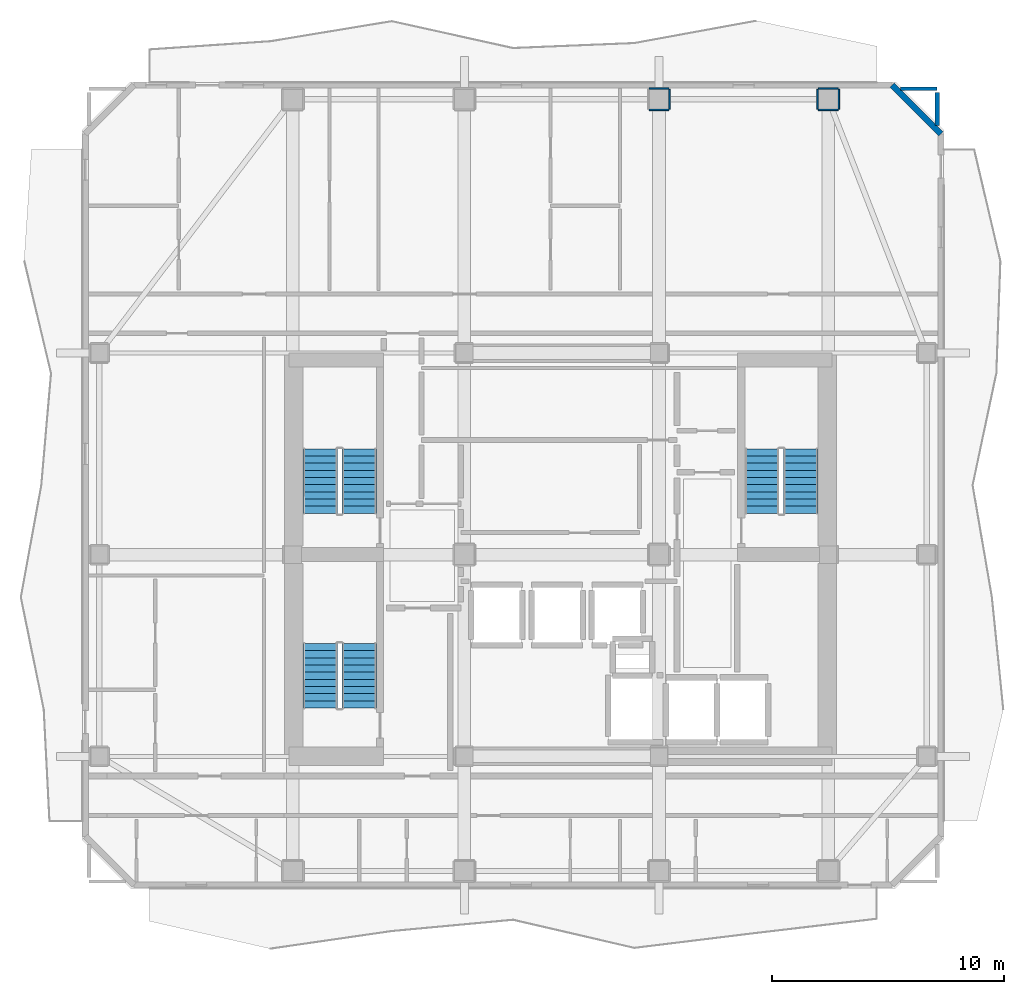
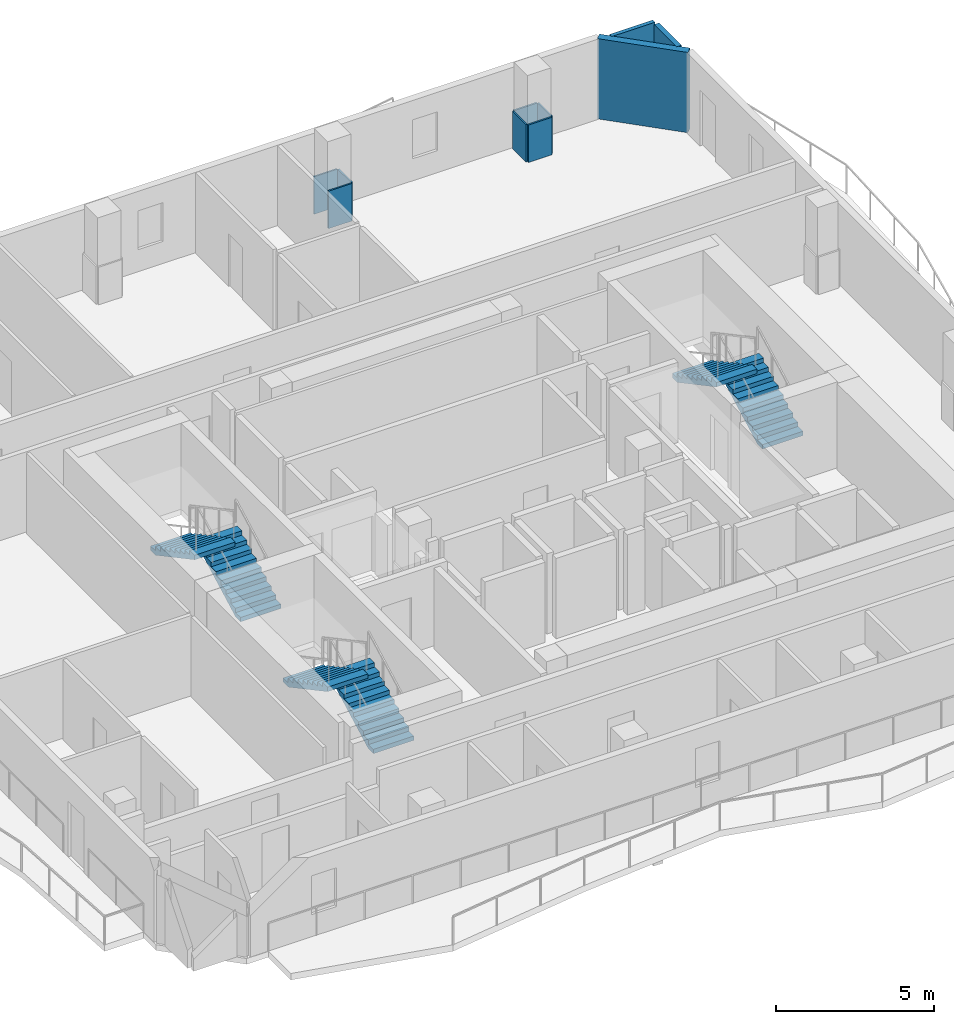
# One storey, part 6 of 10: 10 walls, 6 stair flights, 3 elements without a shape of their own.
"""IFC4 building model written with IfcOpenShell, lengths in metres."""

from ifc_helpers import new_model, si_unit, direction, frame, frame_2d, origin, place, context, subcontext, project, spatial, polyline, rectangle, outline, extrude, material, layer, layer_set, type_object, element, aggregate, save


model = new_model("IFC4")

# Units and contexts
model_context = context("Model", 3, precision=1e-05, world=origin(), true_north=direction((0.0, 1.0)))
body_context = subcontext(model_context, "Body", "Model", "MODEL_VIEW")
ifc_project = project(units=[si_unit("LENGTHUNIT", "METRE"), si_unit("AREAUNIT", "SQUARE_METRE"), si_unit("VOLUMEUNIT", "CUBIC_METRE"), si_unit("PLANEANGLEUNIT", "RADIAN"), si_unit("MASSUNIT", "GRAM", prefix="KILO")], contexts=[model_context])

# Site, building, storey
site_placement = place(None, origin())
site = spatial("IfcSite", under=ifc_project, at=site_placement, CompositionType="ELEMENT")
building_placement = place(site_placement, origin())
building = spatial("IfcBuilding", under=site, at=building_placement, Name="Solanera Arch Residences", CompositionType="ELEMENT")
storey_placement = place(building_placement, frame((0.0, 0.0, 262.239990234375)))
storey = spatial("IfcBuildingStorey", under=building, at=storey_placement, Name="L76", CompositionType="ELEMENT", Elevation=262.239990234375)

# Walls
ifc_material_1 = material(Name="Fire-Rated Gypsum Stud Partition", Category="gypsum")
ifc_layer_1 = layer(ifc_material_1, 0.06005859375)
ifc_layer_set_1 = layer_set([ifc_layer_1], Name="Fire-Rated Gypsum Stud Partition")
wall_type_1 = type_object("IfcWallType", Name="Column Acoustic Furring Wall 60", PredefinedType="PARTITIONING", material=ifc_layer_set_1)
for number, where, z_axis, x_axis, name in (
    (1, (28.77490234375, 49.89306640625, 0.0), (0.0, 0.0, 1.0), (1.0, 0.0, 0.0), "L76 Column Furring 14S"),
    (2, (28.77490234375, 50.806884765625, 0.0), (0.0, 0.0, 1.0), (1.0, 0.0, 0.0), "L76 Column Furring 14N"),
):
    element("IfcWall", number, at=place(storey_placement, frame(where, z_axis=z_axis, x_axis=x_axis)), inside=storey, type_object=wall_type_1, Name=name, PredefinedType="PARTITIONING", context=body_context, shape_type="SweptSolid", body=[
        extrude(rectangle(XDim=0.85009765625, YDim=0.06005859375, at=frame_2d((0.425048828125, 0.0))), origin(), (0.0, 0.0, 1.0), 1.449951171875),
    ])
wall_1_placement = place(storey_placement, frame((29.656982421875, 49.925048828125, 0.0), z_axis=(0.0, 0.0, 1.0), x_axis=(0.0, 1.0, 0.0)))
element("IfcWall", 3, at=wall_1_placement, inside=storey, type_object=wall_type_1, Name="L76 Column Furring 14E", PredefinedType="PARTITIONING", context=body_context, shape_type="SweptSolid", body=[
    extrude(rectangle(XDim=0.849853515625, YDim=0.06005859375, at=frame_2d((0.4248046875, 0.0))), origin(), (0.0, 0.0, 1.0), 1.449951171875),
])
for number, where, z_axis, x_axis, name in (
    (4, (36.074951171875, 49.89306640625, 0.0), (0.0, 0.0, 1.0), (1.0, 0.0, 0.0), "L76 Column Furring 16S"),
    (5, (36.074951171875, 50.806884765625, 0.0), (0.0, 0.0, 1.0), (1.0, 0.0, 0.0), "L76 Column Furring 16N"),
):
    element("IfcWall", number, at=place(storey_placement, frame(where, z_axis=z_axis, x_axis=x_axis)), inside=storey, type_object=wall_type_1, Name=name, PredefinedType="PARTITIONING", context=body_context, shape_type="SweptSolid", body=[
        extrude(rectangle(XDim=0.85009765625, YDim=0.06005859375, at=frame_2d((0.425048828125, 0.0))), origin(), (0.0, 0.0, 1.0), 1.449951171875),
    ])
for number, where, z_axis, x_axis, name in (
    (6, (36.04296875, 49.925048828125, 0.0), (0.0, 0.0, 1.0), (0.0, 1.0, 0.0), "L76 Column Furring 16W"),
    (7, (36.95703125, 49.925048828125, 0.0), (0.0, 0.0, 1.0), (0.0, 1.0, 0.0), "L76 Column Furring 16E"),
):
    element("IfcWall", number, at=place(storey_placement, frame(where, z_axis=z_axis, x_axis=x_axis)), inside=storey, type_object=wall_type_1, Name=name, PredefinedType="PARTITIONING", context=body_context, shape_type="SweptSolid", body=[
        extrude(rectangle(XDim=0.849853515625, YDim=0.06005859375, at=frame_2d((0.4248046875, 0.0))), origin(), (0.0, 0.0, 1.0), 1.449951171875),
    ])
ifc_material_2 = material(Name="Autoclaved Aerated Concrete Blockwork", Category="masonry")
ifc_layer_2 = layer(ifc_material_2, 0.179931640625)
ifc_layer_set_2 = layer_set([ifc_layer_2], Name="Autoclaved Aerated Concrete Blockwork")
wall_type_2 = type_object("IfcWallType", Name="Corridor Fire Partition 180", PredefinedType="PARTITIONING", material=ifc_layer_set_2)
wall_2_placement = place(storey_placement, frame((41.199951171875, 49.2109375, 0.0), z_axis=(0.0, 0.0, 1.0), x_axis=(0.0, 1.0, 0.0)))
element("IfcWall", 8, at=wall_2_placement, inside=storey, type_object=wall_type_2, Name="L76 Interior Partition V10", PredefinedType="PARTITIONING", context=body_context, shape_type="SweptSolid", body=[
    extrude(rectangle(XDim=1.421142578125, YDim=0.179931640625, at=frame_2d((0.71044921875, 0.0))), origin(), (0.0, 0.0, 1.0), 3.10009765625),
])
ifc_material_3 = material(Name="Precast Concrete C35/45", Category="concrete")
ifc_layer_3 = layer(ifc_material_3, 0.260009765625)
ifc_layer_set_3 = layer_set([ifc_layer_3], Name="Precast Concrete C35/45")
wall_type_3 = type_object("IfcWallType", Name="Exterior Wall Precast Masonry-Frame 260", PredefinedType="STANDARD", material=ifc_layer_set_3)
wall_3_placement = place(storey_placement, frame((39.2548828125, 50.955078125, 0.0), z_axis=(0.0, 0.0, 1.0), x_axis=(0.707106781187, -0.707106781187, 0.0)))
element("IfcWall", 9, at=wall_3_placement, inside=storey, type_object=wall_type_3, Name="L76 Tower Exterior Precast Masonry-Frame Wall CH3", PredefinedType="STANDARD", context=body_context, shape_type="SweptSolid", body=[
    extrude(rectangle(XDim=2.969970703125, YDim=0.260009765625, at=frame_2d((1.48486328125, 0.0))), origin(), (0.0, 0.0, 1.0), 3.10009765625),
])
ifc_material_4 = material(Name="Autoclaved Aerated Concrete Blockwork", Category="masonry")
ifc_layer_4 = layer(ifc_material_4, 0.139892578125)
ifc_layer_set_4 = layer_set([ifc_layer_4], Name="Autoclaved Aerated Concrete Blockwork")
wall_type_4 = type_object("IfcWallType", Name="Wet-Room Partition 140", PredefinedType="PARTITIONING", material=ifc_layer_set_4)
wall_4_placement = place(storey_placement, frame((39.611083984375, 50.800048828125, 0.0), z_axis=(0.0, 0.0, 1.0), x_axis=(1.0, 0.0, 0.0)))
element("IfcWall", 10, at=wall_4_placement, inside=storey, type_object=wall_type_4, Name="L76 Interior Partition H18 2", PredefinedType="PARTITIONING", context=body_context, shape_type="SweptSolid", body=[
    extrude(rectangle(XDim=1.5888671875, YDim=0.139892578125, at=frame_2d((0.79443359375, 0.0))), origin(), (0.0, 0.0, 1.0), 3.10009765625),
])

# Stair, stair flights
ifc_material_5 = material(Name="Concrete C40/50 (f'c = 45 MPa)", Category="concrete")
stair_type = type_object("IfcStairType", Name="Tower Dogleg Exit Stair 1480", PredefinedType="HALF_TURN_STAIR", material=ifc_material_5)
stair_1_placement = place(storey_placement, origin())
stair_1 = element("IfcStair", 11, at=stair_1_placement, inside=storey, type_object=stair_type, Name="L76 Tower Core Exit Stair 1", PredefinedType="HALF_TURN_STAIR")
ifc_material_6 = material(Name="Concrete C40/50 (f'c = 45 MPa)", Category="concrete")
stair_flight_type = type_object("IfcStairFlightType", Name="Tower Precast Stair Flight 1480", PredefinedType="STRAIGHT", material=ifc_material_6)
stair_flight_1_placement = place(storey_placement, frame((16.260009765625, 32.47998046875, 0.0), z_axis=(0.0, 0.0, 1.0), x_axis=(0.0, 1.0, 0.0)))
stair_flight_1 = element("IfcStairFlight", 12, at=stair_flight_1_placement, type_object=stair_flight_type, Name="ST-T1 flight 1", NumberOfRisers=10, NumberOfTreads=9, PredefinedType="STRAIGHT", RiserHeight=0.166, TreadLength=0.31, context=body_context, shape_type="SweptSolid", body=[
    extrude(outline(polyline([(0.0, 0.0), (0.0, 0.166015625), (0.31005859375, 0.166015625), (0.31005859375, 0.33203125), (0.6201171875, 0.33203125), (0.6201171875, 0.498046875), (0.929931640625, 0.498046875), (0.929931640625, 0.6640625), (1.239990234375, 0.6640625), (1.239990234375, 0.830078125), (1.550048828125, 0.830078125), (1.550048828125, 0.99609375), (1.860107421875, 0.99609375), (1.860107421875, 1.162109375), (2.169921875, 1.162109375), (2.169921875, 1.327880859375), (2.47998046875, 1.327880859375), (2.47998046875, 1.493896484375), (2.7900390625, 1.493896484375), (2.7900390625, 1.659912109375), (2.7900390625, 1.323974609375), (0.317626953125, 0.0), (0.0, 0.0)])), frame((0.0, 0.739990234375, 0.0), z_axis=(0.0, -1.0, 0.0), x_axis=(1.0, 0.0, 0.0)), (0.0, 0.0, 1.0), 1.47998046875),
])
stair_flight_2_placement = place(storey_placement, frame((14.580078125, 35.27001953125, 1.659912109375), z_axis=(0.0, 0.0, 1.0), x_axis=(0.0, -1.0, 0.0)))
stair_flight_2 = element("IfcStairFlight", 13, at=stair_flight_2_placement, type_object=stair_flight_type, Name="ST-T1 flight 2", NumberOfRisers=10, NumberOfTreads=9, PredefinedType="STRAIGHT", RiserHeight=0.166, TreadLength=0.31, context=body_context, shape_type="SweptSolid", body=[
    extrude(outline(polyline([(0.0, 0.0), (0.0, 0.166015625), (0.31005859375, 0.166015625), (0.31005859375, 0.33203125), (0.6201171875, 0.33203125), (0.6201171875, 0.498046875), (0.929931640625, 0.498046875), (0.929931640625, 0.6640625), (1.239990234375, 0.6640625), (1.239990234375, 0.830078125), (1.550048828125, 0.830078125), (1.550048828125, 0.99609375), (1.860107421875, 0.99609375), (1.860107421875, 1.162109375), (2.169921875, 1.162109375), (2.169921875, 1.327880859375), (2.47998046875, 1.327880859375), (2.47998046875, 1.493896484375), (2.7900390625, 1.493896484375), (2.7900390625, 1.659912109375), (2.7900390625, 1.323974609375), (0.317626953125, 0.0), (0.0, 0.0)])), frame((0.0, 0.739990234375, 0.0), z_axis=(0.0, -1.0, 0.0), x_axis=(1.0, 0.0, 0.0)), (0.0, 0.0, 1.0), 1.47998046875),
])
aggregate(stair_1, [stair_flight_1, stair_flight_2])

stair_2_placement = place(storey_placement, origin())
stair_2 = element("IfcStair", 14, at=stair_2_placement, inside=storey, type_object=stair_type, Name="L76 Tower Core Exit Stair 2", PredefinedType="HALF_TURN_STAIR")
stair_flight_3_placement = place(storey_placement, frame((35.320068359375, 32.47998046875, 0.0), z_axis=(0.0, 0.0, 1.0), x_axis=(0.0, 1.0, 0.0)))
stair_flight_3 = element("IfcStairFlight", 15, at=stair_flight_3_placement, type_object=stair_flight_type, Name="ST-T2 flight 1", NumberOfRisers=10, NumberOfTreads=9, PredefinedType="STRAIGHT", RiserHeight=0.166, TreadLength=0.31, context=body_context, shape_type="SweptSolid", body=[
    extrude(outline(polyline([(0.0, 0.0), (0.0, 0.166015625), (0.31005859375, 0.166015625), (0.31005859375, 0.33203125), (0.6201171875, 0.33203125), (0.6201171875, 0.498046875), (0.929931640625, 0.498046875), (0.929931640625, 0.6640625), (1.239990234375, 0.6640625), (1.239990234375, 0.830078125), (1.550048828125, 0.830078125), (1.550048828125, 0.99609375), (1.860107421875, 0.99609375), (1.860107421875, 1.162109375), (2.169921875, 1.162109375), (2.169921875, 1.327880859375), (2.47998046875, 1.327880859375), (2.47998046875, 1.493896484375), (2.7900390625, 1.493896484375), (2.7900390625, 1.659912109375), (2.7900390625, 1.323974609375), (0.317626953125, 0.0), (0.0, 0.0)])), frame((0.0, 0.739990234375, 0.0), z_axis=(0.0, -1.0, 0.0), x_axis=(1.0, 0.0, 0.0)), (0.0, 0.0, 1.0), 1.47998046875),
])
stair_flight_4_placement = place(storey_placement, frame((33.639892578125, 35.27001953125, 1.659912109375), z_axis=(0.0, 0.0, 1.0), x_axis=(0.0, -1.0, 0.0)))
stair_flight_4 = element("IfcStairFlight", 16, at=stair_flight_4_placement, type_object=stair_flight_type, Name="ST-T2 flight 2", NumberOfRisers=10, NumberOfTreads=9, PredefinedType="STRAIGHT", RiserHeight=0.166, TreadLength=0.31, context=body_context, shape_type="SweptSolid", body=[
    extrude(outline(polyline([(0.0, 0.0), (0.0, 0.166015625), (0.31005859375, 0.166015625), (0.31005859375, 0.33203125), (0.6201171875, 0.33203125), (0.6201171875, 0.498046875), (0.929931640625, 0.498046875), (0.929931640625, 0.6640625), (1.239990234375, 0.6640625), (1.239990234375, 0.830078125), (1.550048828125, 0.830078125), (1.550048828125, 0.99609375), (1.860107421875, 0.99609375), (1.860107421875, 1.162109375), (2.169921875, 1.162109375), (2.169921875, 1.327880859375), (2.47998046875, 1.327880859375), (2.47998046875, 1.493896484375), (2.7900390625, 1.493896484375), (2.7900390625, 1.659912109375), (2.7900390625, 1.323974609375), (0.317626953125, 0.0), (0.0, 0.0)])), frame((0.0, 0.739990234375, 0.0), z_axis=(0.0, -1.0, 0.0), x_axis=(1.0, 0.0, 0.0)), (0.0, 0.0, 1.0), 1.47998046875),
])
aggregate(stair_2, [stair_flight_3, stair_flight_4])

stair_3_placement = place(storey_placement, origin())
stair_3 = element("IfcStair", 17, at=stair_3_placement, inside=storey, type_object=stair_type, Name="L76 Tower Core Exit Stair 3", PredefinedType="HALF_TURN_STAIR")
stair_flight_5_placement = place(storey_placement, frame((16.260009765625, 24.080078125, 0.0), z_axis=(0.0, 0.0, 1.0), x_axis=(0.0, 1.0, 0.0)))
stair_flight_5 = element("IfcStairFlight", 18, at=stair_flight_5_placement, type_object=stair_flight_type, Name="ST-T3 flight 1", NumberOfRisers=10, NumberOfTreads=9, PredefinedType="STRAIGHT", RiserHeight=0.166, TreadLength=0.31, context=body_context, shape_type="SweptSolid", body=[
    extrude(outline(polyline([(0.0, 0.0), (0.0, 0.166015625), (0.31005859375, 0.166015625), (0.31005859375, 0.33203125), (0.6201171875, 0.33203125), (0.6201171875, 0.498046875), (0.929931640625, 0.498046875), (0.929931640625, 0.6640625), (1.239990234375, 0.6640625), (1.239990234375, 0.830078125), (1.550048828125, 0.830078125), (1.550048828125, 0.99609375), (1.860107421875, 0.99609375), (1.860107421875, 1.162109375), (2.169921875, 1.162109375), (2.169921875, 1.327880859375), (2.47998046875, 1.327880859375), (2.47998046875, 1.493896484375), (2.7900390625, 1.493896484375), (2.7900390625, 1.659912109375), (2.7900390625, 1.323974609375), (0.317626953125, 0.0), (0.0, 0.0)])), frame((0.0, 0.739990234375, 0.0), z_axis=(0.0, -1.0, 0.0), x_axis=(1.0, 0.0, 0.0)), (0.0, 0.0, 1.0), 1.47998046875),
])
stair_flight_6_placement = place(storey_placement, frame((14.580078125, 26.8701171875, 1.659912109375), z_axis=(0.0, 0.0, 1.0), x_axis=(0.0, -1.0, 0.0)))
stair_flight_6 = element("IfcStairFlight", 19, at=stair_flight_6_placement, type_object=stair_flight_type, Name="ST-T3 flight 2", NumberOfRisers=10, NumberOfTreads=9, PredefinedType="STRAIGHT", RiserHeight=0.166, TreadLength=0.31, context=body_context, shape_type="SweptSolid", body=[
    extrude(outline(polyline([(0.0, 0.0), (0.0, 0.166015625), (0.31005859375, 0.166015625), (0.31005859375, 0.33203125), (0.6201171875, 0.33203125), (0.6201171875, 0.498046875), (0.929931640625, 0.498046875), (0.929931640625, 0.6640625), (1.239990234375, 0.6640625), (1.239990234375, 0.830078125), (1.550048828125, 0.830078125), (1.550048828125, 0.99609375), (1.860107421875, 0.99609375), (1.860107421875, 1.162109375), (2.169921875, 1.162109375), (2.169921875, 1.327880859375), (2.47998046875, 1.327880859375), (2.47998046875, 1.493896484375), (2.7900390625, 1.493896484375), (2.7900390625, 1.659912109375), (2.7900390625, 1.323974609375), (0.317626953125, 0.0), (0.0, 0.0)])), frame((0.0, 0.739990234375, 0.0), z_axis=(0.0, -1.0, 0.0), x_axis=(1.0, 0.0, 0.0)), (0.0, 0.0, 1.0), 1.47998046875),
])
aggregate(stair_3, [stair_flight_5, stair_flight_6])

save(model, "model.ifc")
